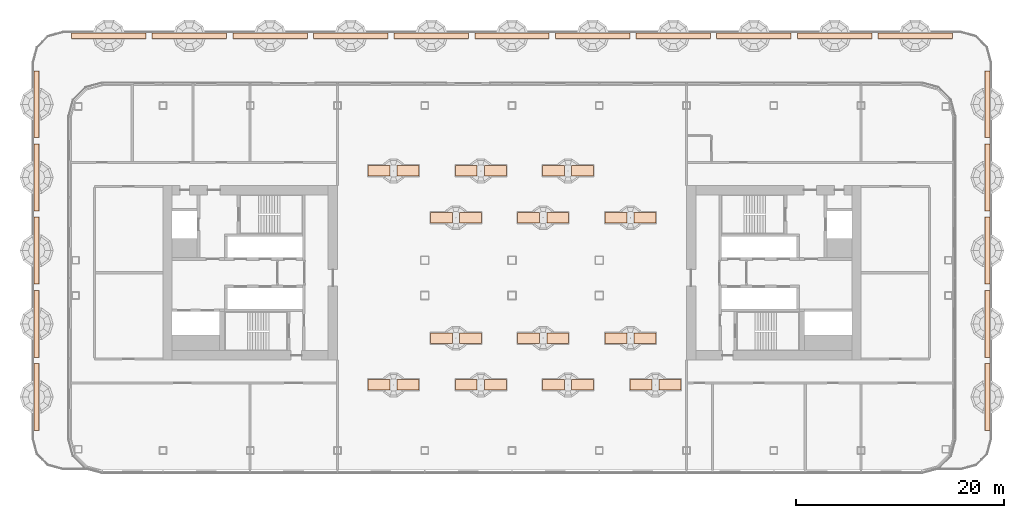
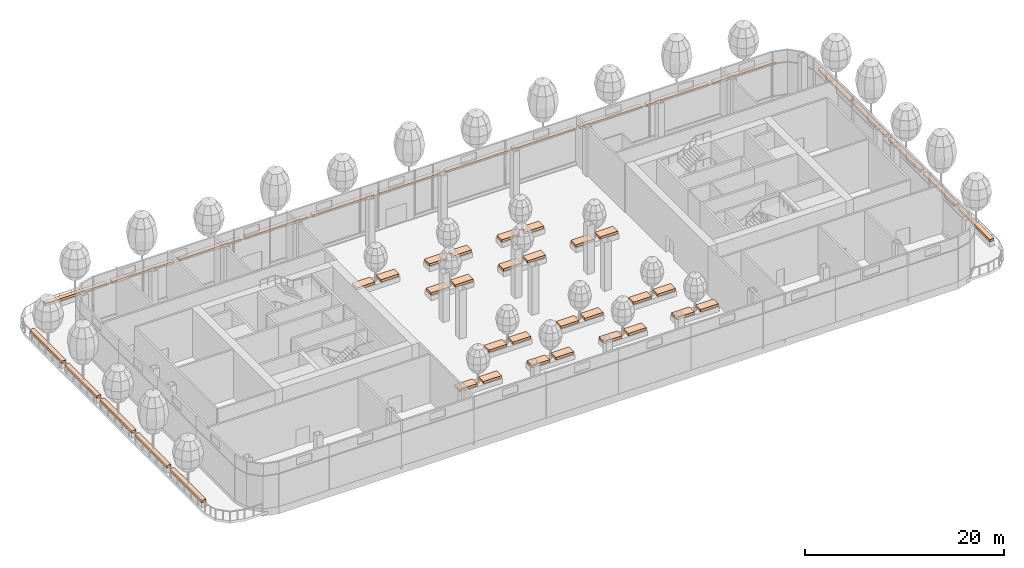
# One storey, part 37 of 43: 47 geographic elements.
"""IFC4 building model written with IfcOpenShell, lengths in metres."""

from ifc_helpers import new_model, si_unit, direction, frame, origin, origin_2d, place, context, subcontext, project, spatial, rectangle, extrude, material, type_object, element, save


model = new_model("IFC4")

# Units and contexts
model_context = context("Model", 3, precision=1e-05, world=origin(), true_north=direction((0.0, 1.0)))
body_context = subcontext(model_context, "Body", "Model", "MODEL_VIEW")
ifc_project = project(units=[si_unit("LENGTHUNIT", "METRE"), si_unit("AREAUNIT", "SQUARE_METRE"), si_unit("VOLUMEUNIT", "CUBIC_METRE"), si_unit("PLANEANGLEUNIT", "RADIAN"), si_unit("MASSUNIT", "GRAM", prefix="KILO")], contexts=[model_context])

# Site, building, storey
site_placement = place(None, origin())
site = spatial("IfcSite", under=ifc_project, at=site_placement, CompositionType="ELEMENT")
building_placement = place(site_placement, origin())
building = spatial("IfcBuilding", under=site, at=building_placement, Name="Hakoniwa Tower and Hamabe Station Hall", CompositionType="ELEMENT")
storey_placement = place(building_placement, frame((0.0, 0.0, 124.60009765625)))
storey = spatial("IfcBuildingStorey", under=building, at=storey_placement, Name="L35", CompositionType="ELEMENT", Elevation=124.60009765625)

# Geographic elements
ifc_material_1 = material(Name="Shrub planting")
geographic_element_type_1 = type_object("IfcGeographicElementType", Name="Shrub planting bed 1000x300", PredefinedType="USERDEFINED", material=ifc_material_1)
for number, where, z_axis, x_axis, name in (
    (1, (-6.800048828125, 5.300048828125, 0.60009765625), (0.0, 0.0, 1.0), (1.0, 0.0, 0.0), "Shrub planting bed 1000x300"),
    (2, (-4.0, 5.300048828125, 0.60009765625), (0.0, 0.0, 1.0), (1.0, 0.0, 0.0), "Shrub planting bed 1000x300"),
    (3, (1.60009765625, 5.300048828125, 0.60009765625), (0.0, 0.0, 1.0), (1.0, 0.0, 0.0), "Shrub planting bed 1000x300"),
    (4, (4.39990234375, 5.300048828125, 0.60009765625), (0.0, 0.0, 1.0), (1.0, 0.0, 0.0), "Shrub planting bed 1000x300"),
    (5, (10.0, 5.300048828125, 0.60009765625), (0.0, 0.0, 1.0), (1.0, 0.0, 0.0), "Shrub planting bed 1000x300"),
    (6, (12.800048828125, 5.300048828125, 0.60009765625), (0.0, 0.0, 1.0), (1.0, 0.0, 0.0), "Shrub planting bed 1000x300"),
    (7, (-12.800048828125, 9.800048828125, 0.60009765625), (0.0, 0.0, 1.0), (1.0, 0.0, 0.0), "Shrub planting bed 1000x300"),
    (8, (-10.0, 9.800048828125, 0.60009765625), (0.0, 0.0, 1.0), (1.0, 0.0, 0.0), "Shrub planting bed 1000x300"),
    (9, (-4.39990234375, 9.800048828125, 0.60009765625), (0.0, 0.0, 1.0), (1.0, 0.0, 0.0), "Shrub planting bed 1000x300"),
    (10, (-1.60009765625, 9.800048828125, 0.60009765625), (0.0, 0.0, 1.0), (1.0, 0.0, 0.0), "Shrub planting bed 1000x300"),
    (11, (4.0, 9.800048828125, 0.60009765625), (0.0, 0.0, 1.0), (1.0, 0.0, 0.0), "Shrub planting bed 1000x300"),
    (12, (6.800048828125, 9.800048828125, 0.60009765625), (0.0, 0.0, 1.0), (1.0, 0.0, 0.0), "Shrub planting bed 1000x300"),
    (13, (-6.800048828125, -6.300048828125, 0.60009765625), (0.0, 0.0, 1.0), (1.0, 0.0, 0.0), "Shrub planting bed 1000x300"),
    (14, (-4.0, -6.300048828125, 0.60009765625), (0.0, 0.0, 1.0), (1.0, 0.0, 0.0), "Shrub planting bed 1000x300"),
    (15, (1.60009765625, -6.300048828125, 0.60009765625), (0.0, 0.0, 1.0), (1.0, 0.0, 0.0), "Shrub planting bed 1000x300"),
    (16, (4.39990234375, -6.300048828125, 0.60009765625), (0.0, 0.0, 1.0), (1.0, 0.0, 0.0), "Shrub planting bed 1000x300"),
    (17, (10.0, -6.300048828125, 0.60009765625), (0.0, 0.0, 1.0), (1.0, 0.0, 0.0), "Shrub planting bed 1000x300"),
    (18, (12.800048828125, -6.300048828125, 0.60009765625), (0.0, 0.0, 1.0), (1.0, 0.0, 0.0), "Shrub planting bed 1000x300"),
    (19, (-12.800048828125, -10.800048828125, 0.60009765625), (0.0, 0.0, 1.0), (1.0, 0.0, 0.0), "Shrub planting bed 1000x300"),
    (20, (-10.0, -10.800048828125, 0.60009765625), (0.0, 0.0, 1.0), (1.0, 0.0, 0.0), "Shrub planting bed 1000x300"),
    (21, (-4.39990234375, -10.800048828125, 0.60009765625), (0.0, 0.0, 1.0), (1.0, 0.0, 0.0), "Shrub planting bed 1000x300"),
    (22, (-1.60009765625, -10.800048828125, 0.60009765625), (0.0, 0.0, 1.0), (1.0, 0.0, 0.0), "Shrub planting bed 1000x300"),
    (23, (4.0, -10.800048828125, 0.60009765625), (0.0, 0.0, 1.0), (1.0, 0.0, 0.0), "Shrub planting bed 1000x300"),
    (24, (6.800048828125, -10.800048828125, 0.60009765625), (0.0, 0.0, 1.0), (1.0, 0.0, 0.0), "Shrub planting bed 1000x300"),
    (25, (12.39990234375, -10.800048828125, 0.60009765625), (0.0, 0.0, 1.0), (1.0, 0.0, 0.0), "Shrub planting bed 1000x300"),
    (26, (15.199951171875, -10.800048828125, 0.60009765625), (0.0, 0.0, 1.0), (1.0, 0.0, 0.0), "Shrub planting bed 1000x300"),
):
    element("IfcGeographicElement", number, at=place(storey_placement, frame(where, z_axis=z_axis, x_axis=x_axis)), inside=storey, type_object=geographic_element_type_1, Name=name, ObjectType="PLANTING", PredefinedType="USERDEFINED", context=body_context, shape_type="SweptSolid", body=[
        extrude(rectangle(XDim=2.10009765625, YDim=1.0, at=origin_2d()), origin(), (0.0, 0.0, 1.0), 0.300048828125),
    ])
ifc_material_2 = material(Name="Shrub planting")
geographic_element_type_2 = type_object("IfcGeographicElementType", Name="Shrub planting bed 500x300", PredefinedType="USERDEFINED", material=ifc_material_2)
for number, where, z_axis, x_axis, name in (
    (27, (45.7509765625, -11.96435546875, 0.60009765625), (0.0, 0.0, 1.0), (0.0, 1.0, 0.0), "Shrub planting bed 500x300"),
    (28, (45.7509765625, -4.919677734375, 0.60009765625), (0.0, 0.0, 1.0), (0.0, 1.0, 0.0), "Shrub planting bed 500x300"),
    (29, (45.7509765625, 2.125, 0.60009765625), (0.0, 0.0, 1.0), (0.0, 1.0, 0.0), "Shrub planting bed 500x300"),
    (30, (45.7509765625, 9.169677734375, 0.60009765625), (0.0, 0.0, 1.0), (0.0, 1.0, 0.0), "Shrub planting bed 500x300"),
    (31, (45.7509765625, 16.21435546875, 0.60009765625), (0.0, 0.0, 1.0), (0.0, 1.0, 0.0), "Shrub planting bed 500x300"),
):
    element("IfcGeographicElement", number, at=place(storey_placement, frame(where, z_axis=z_axis, x_axis=x_axis)), inside=storey, type_object=geographic_element_type_2, Name=name, ObjectType="PLANTING", PredefinedType="USERDEFINED", context=body_context, shape_type="SweptSolid", body=[
        extrude(rectangle(XDim=6.44482421875, YDim=0.5, at=origin_2d()), origin(), (0.0, 0.0, 1.0), 0.300048828125),
    ])
for number, where, z_axis, x_axis, name in (
    (32, (38.80615234375, 22.801025390625, 0.60009765625), (0.0, 0.0, 1.0), (-1.0, 0.0, 0.0), "Shrub planting bed 500x300"),
    (33, (31.044921875, 22.801025390625, 0.60009765625), (0.0, 0.0, 1.0), (-1.0, 0.0, 0.0), "Shrub planting bed 500x300"),
    (34, (23.28369140625, 22.801025390625, 0.60009765625), (0.0, 0.0, 1.0), (-1.0, 0.0, 0.0), "Shrub planting bed 500x300"),
    (35, (15.5224609375, 22.801025390625, 0.60009765625), (0.0, 0.0, 1.0), (-1.0, 0.0, 0.0), "Shrub planting bed 500x300"),
    (36, (7.76123046875, 22.801025390625, 0.60009765625), (0.0, 0.0, 1.0), (-1.0, 0.0, 0.0), "Shrub planting bed 500x300"),
    (37, (0.0, 22.801025390625, 0.60009765625), (0.0, 0.0, 1.0), (-1.0, 0.0, 0.0), "Shrub planting bed 500x300"),
    (38, (-7.76123046875, 22.801025390625, 0.60009765625), (0.0, 0.0, 1.0), (-1.0, 0.0, 0.0), "Shrub planting bed 500x300"),
    (39, (-15.5224609375, 22.801025390625, 0.60009765625), (0.0, 0.0, 1.0), (-1.0, 0.0, 0.0), "Shrub planting bed 500x300"),
    (40, (-23.28369140625, 22.801025390625, 0.60009765625), (0.0, 0.0, 1.0), (-1.0, 0.0, 0.0), "Shrub planting bed 500x300"),
    (41, (-31.044921875, 22.801025390625, 0.60009765625), (0.0, 0.0, 1.0), (-1.0, 0.0, 0.0), "Shrub planting bed 500x300"),
    (42, (-38.80615234375, 22.801025390625, 0.60009765625), (0.0, 0.0, 1.0), (-1.0, 0.0, 0.0), "Shrub planting bed 500x300"),
):
    element("IfcGeographicElement", number, at=place(storey_placement, frame(where, z_axis=z_axis, x_axis=x_axis)), inside=storey, type_object=geographic_element_type_2, Name=name, ObjectType="PLANTING", PredefinedType="USERDEFINED", context=body_context, shape_type="SweptSolid", body=[
        extrude(rectangle(XDim=7.1611328125, YDim=0.5, at=origin_2d()), origin(), (0.0, 0.0, 1.0), 0.300048828125),
    ])
for number, where, z_axis, x_axis, name in (
    (43, (-45.7509765625, 16.21435546875, 0.60009765625), (0.0, 0.0, 1.0), (0.0, -1.0, 0.0), "Shrub planting bed 500x300"),
    (44, (-45.7509765625, 9.169677734375, 0.60009765625), (0.0, 0.0, 1.0), (0.0, -1.0, 0.0), "Shrub planting bed 500x300"),
    (45, (-45.7509765625, 2.125, 0.60009765625), (0.0, 0.0, 1.0), (0.0, -1.0, 0.0), "Shrub planting bed 500x300"),
    (46, (-45.7509765625, -4.919677734375, 0.60009765625), (0.0, 0.0, 1.0), (0.0, -1.0, 0.0), "Shrub planting bed 500x300"),
    (47, (-45.7509765625, -11.96435546875, 0.60009765625), (0.0, 0.0, 1.0), (0.0, -1.0, 0.0), "Shrub planting bed 500x300"),
):
    element("IfcGeographicElement", number, at=place(storey_placement, frame(where, z_axis=z_axis, x_axis=x_axis)), inside=storey, type_object=geographic_element_type_2, Name=name, ObjectType="PLANTING", PredefinedType="USERDEFINED", context=body_context, shape_type="SweptSolid", body=[
        extrude(rectangle(XDim=6.44482421875, YDim=0.5, at=origin_2d()), origin(), (0.0, 0.0, 1.0), 0.300048828125),
    ])

save(model, "model.ifc")
